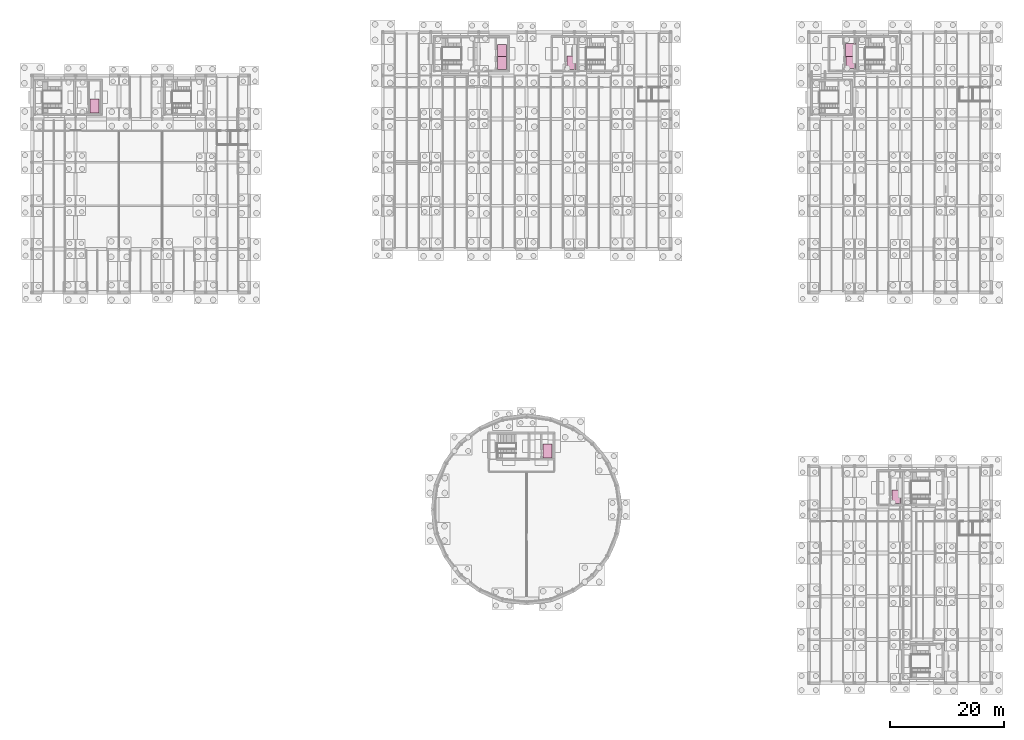
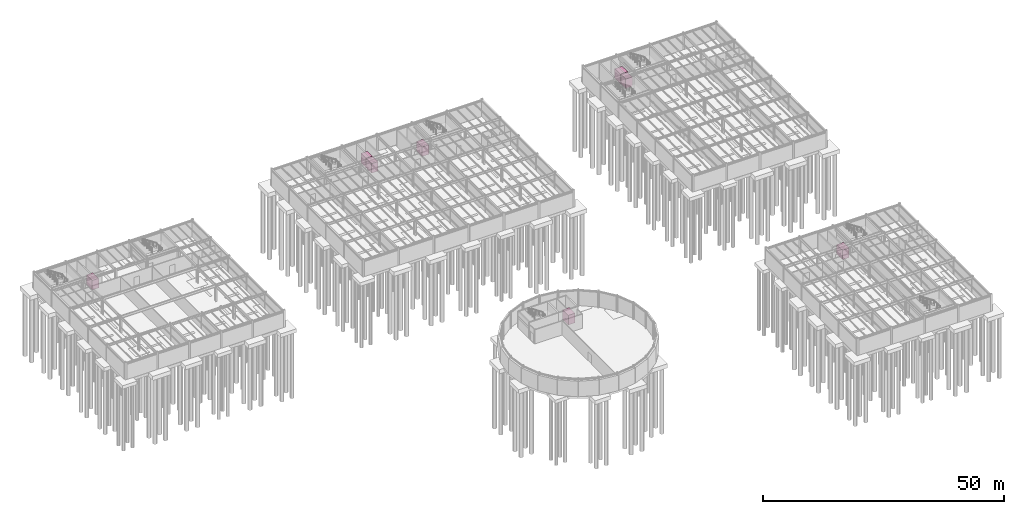
# One storey, part 33 of 33: 8 transport elements.
"""IFC4 building model written with IfcOpenShell, lengths in metres."""

from ifc_helpers import new_model, si_unit, direction, frame, origin, origin_2d, place, context, subcontext, project, spatial, rectangle, extrude, material, type_object, element, save


model = new_model("IFC4")

# Units and contexts
model_context = context("Model", 3, precision=1e-05, world=origin(), true_north=direction((0.0, 1.0)))
body_context = subcontext(model_context, "Body", "Model", "MODEL_VIEW")
ifc_project = project(units=[si_unit("LENGTHUNIT", "METRE"), si_unit("AREAUNIT", "SQUARE_METRE"), si_unit("VOLUMEUNIT", "CUBIC_METRE"), si_unit("PLANEANGLEUNIT", "RADIAN"), si_unit("MASSUNIT", "GRAM", prefix="KILO")], contexts=[model_context])

# Site, building, storey
site_placement = place(None, origin())
site = spatial("IfcSite", under=ifc_project, at=site_placement, CompositionType="ELEMENT")
building_placement = place(site_placement, origin())
building = spatial("IfcBuilding", under=site, at=building_placement, Name="Montecoro Central Library", CompositionType="ELEMENT")
storey_placement = place(building_placement, frame((0.0, 0.0, -4.419921875)))
storey = spatial("IfcBuildingStorey", under=building, at=storey_placement, Name="B1", CompositionType="ELEMENT", Elevation=-4.419921875)

# Transport elements
ifc_material = material(Name="Brushed stainless steel lift car", Category="steel")
transport_element_type_1 = type_object("IfcTransportElementType", Name="LFT-FF-160", PredefinedType="ELEVATOR", material=ifc_material)
for number, where, z_axis, x_axis, name in (
    (1, (87.300048828125, 115.800048828125, 0.0), (0.0, 0.0, 1.0), (1.0, 0.0, 0.0), "Lift FFL-01"),
    (2, (148.35009765625, 113.64990234375, 0.0), (0.0, 0.0, 1.0), (1.0, 0.0, 0.0), "Lift FFL-02"),
):
    element("IfcTransportElement", number, at=place(storey_placement, frame(where, z_axis=z_axis, x_axis=x_axis)), inside=storey, type_object=transport_element_type_1, Name=name, PredefinedType="ELEVATOR", context=body_context, shape_type="SweptSolid", body=[
        extrude(rectangle(XDim=1.60009765625, YDim=2.10009765625, at=origin_2d()), origin(), (0.0, 0.0, 1.0), 2.39990234375),
    ])
transport_element_type_2 = type_object("IfcTransportElementType", Name="LFT-GDS-180", PredefinedType="ELEVATOR", material=ifc_material)
transport_element_placement = place(storey_placement, frame((148.35009765625, 115.800048828125, 0.0), z_axis=(0.0, 0.0, 1.0), x_axis=(1.0, 0.0, 0.0)))
element("IfcTransportElement", 3, at=transport_element_placement, inside=storey, type_object=transport_element_type_2, Name="Lift GL-01", PredefinedType="ELEVATOR", context=body_context, shape_type="SweptSolid", body=[
    extrude(rectangle(XDim=1.800048828125, YDim=2.39990234375, at=origin_2d()), origin(), (0.0, 0.0, 1.0), 2.39990234375),
])
transport_element_type_3 = type_object("IfcTransportElementType", Name="LFT-PASS-160", PredefinedType="ELEVATOR", material=ifc_material)
for number, where, z_axis, x_axis, name in (
    (4, (95.25, 45.64990234375, 0.0), (0.0, 0.0, 1.0), (1.0, 0.0, 0.0), "Lift PL-01"),
    (5, (87.300048828125, 113.64990234375, 0.0), (0.0, 0.0, 1.0), (1.0, 0.0, 0.0), "Lift PL-02"),
    (6, (99.449951171875, 113.64990234375, 0.0), (0.0, 0.0, 1.0), (1.0, 0.0, 0.0), "Lift PL-03"),
    (7, (15.949951171875, 106.050048828125, 0.0), (0.0, 0.0, 1.0), (1.0, 0.0, 0.0), "Lift PL-05"),
    (8, (156.35009765625, 37.64990234375, 0.0), (0.0, 0.0, 1.0), (1.0, 0.0, 0.0), "Lift PL-06"),
):
    element("IfcTransportElement", number, at=place(storey_placement, frame(where, z_axis=z_axis, x_axis=x_axis)), inside=storey, type_object=transport_element_type_3, Name=name, PredefinedType="ELEVATOR", context=body_context, shape_type="SweptSolid", body=[
        extrude(rectangle(XDim=1.60009765625, YDim=2.39990234375, at=origin_2d()), origin(), (0.0, 0.0, 1.0), 2.39990234375),
    ])

save(model, "model.ifc")
